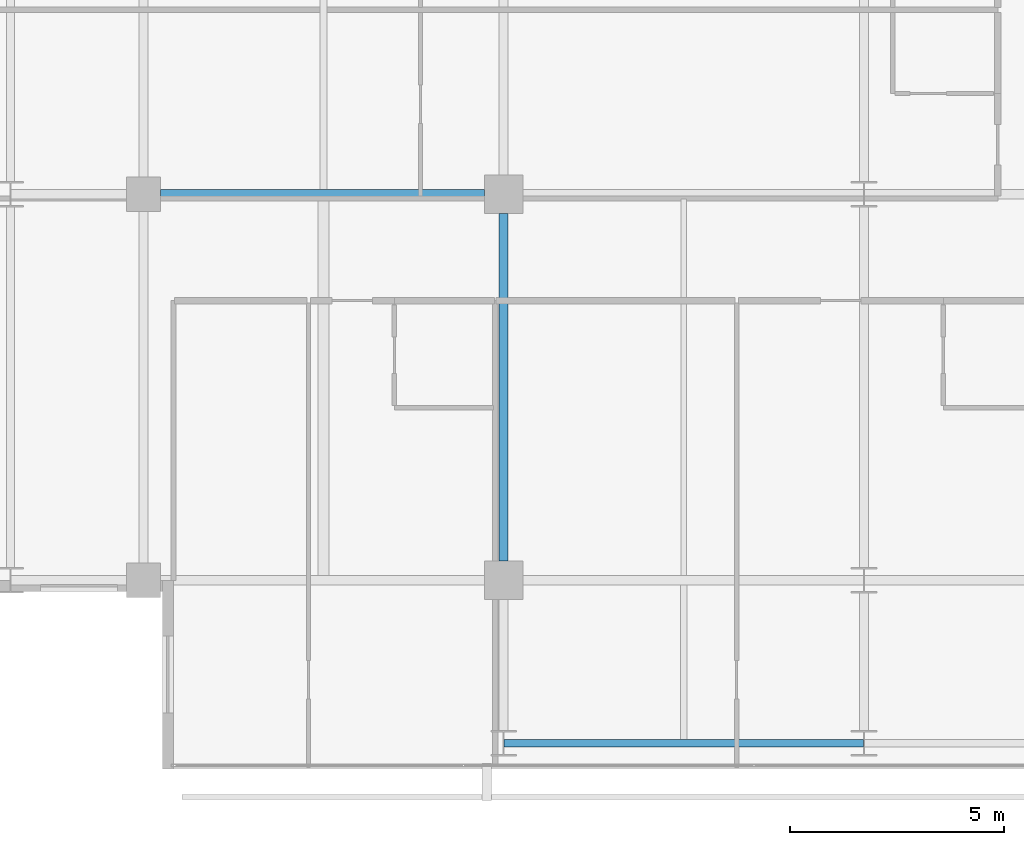
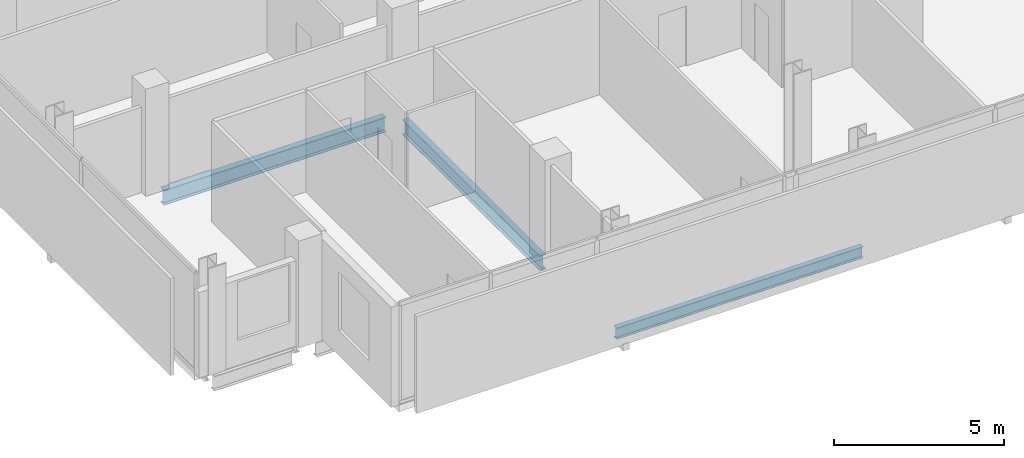
# One storey, part 5 of 34: 3 beams.
"""IFC4 building model written with IfcOpenShell, lengths in metres."""

from ifc_helpers import new_model, si_unit, direction, frame, origin, origin_2d, place, context, subcontext, project, spatial, i_section, extrude, material, material_profile, profile_set, type_object, element, save


model = new_model("IFC4")

# Units and contexts
model_context = context("Model", 3, precision=1e-05, world=origin(), true_north=direction((0.0, 1.0)))
body_context = subcontext(model_context, "Body", "Model", "MODEL_VIEW")
ifc_project = project(units=[si_unit("LENGTHUNIT", "METRE"), si_unit("AREAUNIT", "SQUARE_METRE"), si_unit("VOLUMEUNIT", "CUBIC_METRE"), si_unit("PLANEANGLEUNIT", "RADIAN"), si_unit("MASSUNIT", "GRAM", prefix="KILO")], contexts=[model_context])

# Site, building, storey
site_placement = place(None, origin())
site = spatial("IfcSite", under=ifc_project, at=site_placement, CompositionType="ELEMENT")
building_placement = place(site_placement, origin())
building = spatial("IfcBuilding", under=site, at=building_placement, Name="Maruvema Waterfront Hotel and Observation Tower", CompositionType="ELEMENT")
storey_placement = place(building_placement, frame((0.0, 0.0, 212.10009765625)))
storey = spatial("IfcBuildingStorey", under=building, at=storey_placement, Name="L52", CompositionType="ELEMENT", Elevation=212.10009765625)

# Beams
ifc_material_1 = material(Name="Steel ASTM A572 Grade 50", Category="steel")
ifc_material_profile_1 = material_profile(ifc_material_1, i_section(OverallWidth=0.178955078125, OverallDepth=0.409912109375, WebThickness=0.0087890625, FlangeThickness=0.014404296875, FilletRadius=0.014892578125, at=origin_2d()), Name="W410x67.0")
ifc_profile_set_1 = profile_set([ifc_material_profile_1], Name="Steel ASTM A572 Grade 50")
beam_type_1 = type_object("IfcBeamType", Name="Perimeter Spandrel Beam W410x67.0", PredefinedType="SPANDREL", material=ifc_profile_set_1)
beam_1_placement = place(storey_placement, frame((25.21240234375, 5.199951171875, -0.445068359375), z_axis=(1.0, 0.0, 0.0), x_axis=(0.0, 1.0, 0.0)))
element("IfcBeam", 1, at=beam_1_placement, inside=storey, type_object=beam_type_1, Name="L52 Floor Girder EW-01", PredefinedType="SPANDREL", context=body_context, shape_type="SweptSolid", body=[
    extrude(i_section(OverallWidth=0.178955078125, OverallDepth=0.409912109375, WebThickness=0.0087890625, FlangeThickness=0.014404296875, FilletRadius=0.014892578125, at=origin_2d()), origin(), (0.0, 0.0, 1.0), 8.375),
])
ifc_material_2 = material(Name="Steel ASTM A572 Grade 50", Category="steel")
ifc_material_profile_2 = material_profile(ifc_material_2, i_section(OverallWidth=0.2109375, OverallDepth=0.5390625, WebThickness=0.01171875, FlangeThickness=0.018798828125, FilletRadius=0.014892578125, at=origin_2d()), Name="W530x109.0")
ifc_profile_set_2 = profile_set([ifc_material_profile_2], Name="Steel ASTM A572 Grade 50")
beam_type_2 = type_object("IfcBeamType", Name="Primary Floor Girder W530x109.0", PredefinedType="BEAM", material=ifc_profile_set_2)
beam_2_placement = place(storey_placement, frame((17.199951171875, 18.0, -0.509521484375), z_axis=(1.0, 0.0, 0.0), x_axis=(0.0, 1.0, 0.0)))
element("IfcBeam", 2, at=beam_2_placement, inside=storey, type_object=beam_type_2, Name="L52 Floor Girder EW-12", PredefinedType="BEAM", context=body_context, shape_type="SweptSolid", body=[
    extrude(i_section(OverallWidth=0.2109375, OverallDepth=0.5390625, WebThickness=0.01171875, FlangeThickness=0.018798828125, FilletRadius=0.014892578125, at=origin_2d()), origin(), (0.0, 0.0, 1.0), 7.550048828125),
])
beam_3_placement = place(storey_placement, frame((25.199951171875, 9.449951171875, -0.509521484375), z_axis=(0.0, 1.0, 0.0), x_axis=(-1.0, 0.0, 0.0)))
element("IfcBeam", 3, at=beam_3_placement, inside=storey, type_object=beam_type_2, Name="L52 Floor Girder NS-10", PredefinedType="BEAM", context=body_context, shape_type="SweptSolid", body=[
    extrude(i_section(OverallWidth=0.2109375, OverallDepth=0.5390625, WebThickness=0.01171875, FlangeThickness=0.018798828125, FilletRadius=0.014892578125, at=origin_2d()), origin(), (0.0, 0.0, 1.0), 8.10009765625),
])

save(model, "model.ifc")
